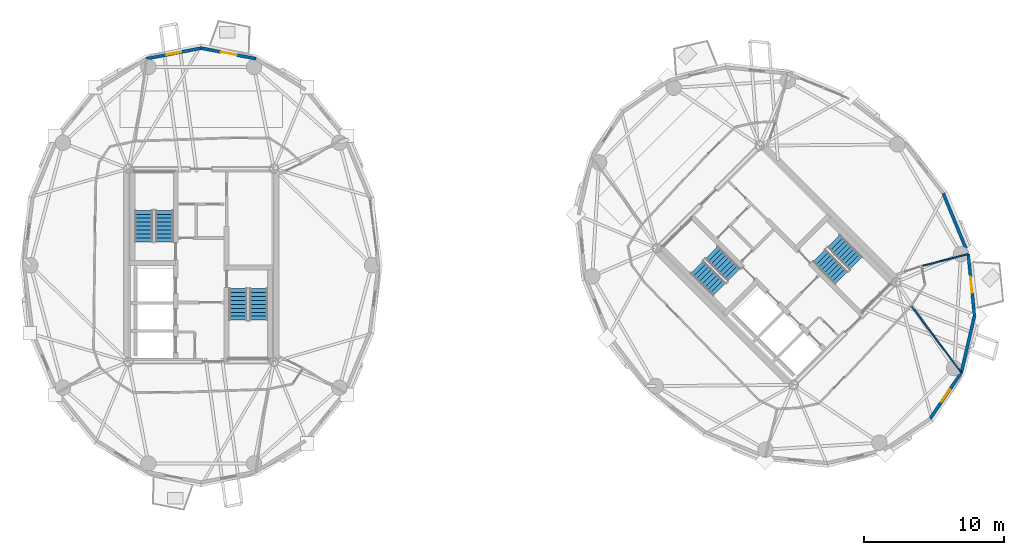
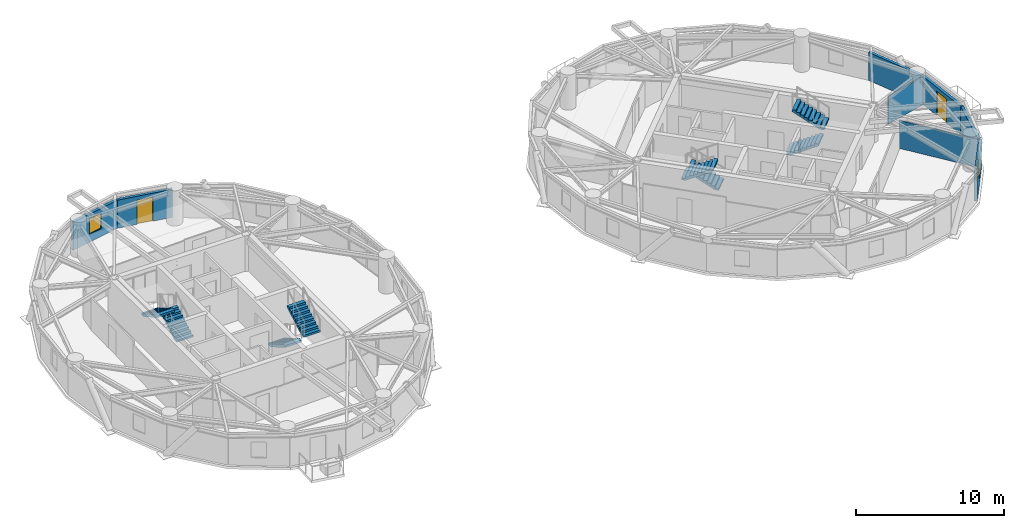
# One storey, part 13 of 16: 8 stair flights, 8 walls, 2 doors, 2 windows, 4 openings, 4 elements without a shape of their own.
"""IFC4 building model written with IfcOpenShell, lengths in metres."""

import ifcopenshell
import ifcopenshell.guid

model = None  # the IFC model being written
_history = None  # IfcOwnerHistory: only IFC2X3 demands one
_inside = {}  # id of a spatial element -> (the spatial element, [elements in it])
_under = {}  # id of a project, library or spatial element -> (it, [spatial elements below it])
_declared = {}  # id of a project -> (the project, [libraries it declares])
_typed = {}  # id of a type object -> (the type object, [elements of that type])
_made_of = {}  # id of a material, layer set ... -> (it, [elements and type objects made of it])


def new_model(schema):
    """Start an empty IFC model of exactly this schema.

    Asked for "IFC4X3", IfcOpenShell would pick the latest addendum, in which some entities
    have other attributes; the version numbers below select the first issue.
    IFC2X3 requires an IfcOwnerHistory on every rooted entity: one is made here for all.
    """
    global model, _history
    if schema == "IFC4X3":
        model = ifcopenshell.file(schema_version=(4, 3, 0, 0))
    else:
        model = ifcopenshell.file(schema=schema)
    _inside.clear()
    _under.clear()
    _declared.clear()
    _typed.clear()
    _made_of.clear()
    _history = None
    if model.schema == "IFC2X3":
        org = make("IfcOrganization", Name="unknown")
        user = make(
            "IfcPersonAndOrganization",
            ThePerson=make("IfcPerson", FamilyName="unknown"),
            TheOrganization=org,
        )
        app = make(
            "IfcApplication",
            ApplicationDeveloper=org,
            Version="unknown",
            ApplicationFullName="unknown",
            ApplicationIdentifier="unknown",
        )
        _history = make(
            "IfcOwnerHistory",
            OwningUser=user,
            OwningApplication=app,
            ChangeAction="ADDED",
            CreationDate=0,
        )
    return model


def make(cls, **values):
    """One entity of the class cls with the attributes given. An attribute that is None is left unset."""
    return model.create_entity(
        cls, **{name: value for name, value in values.items() if value is not None}
    )


def rooted(cls, **values):
    """An entity with a GlobalId (a new one), such as an element, a storey or a relation."""
    return make(cls, GlobalId=ifcopenshell.guid.new(), OwnerHistory=_history, **values)


def si_unit(unit_type, name, prefix=None):
    """IfcSIUnit, for example si_unit("LENGTHUNIT", "METRE", prefix="MILLI")."""
    return make("IfcSIUnit", UnitType=unit_type, Prefix=prefix, Name=name)


def assignment(units):
    """IfcUnitAssignment: the units of a project."""
    return None if units is None else make("IfcUnitAssignment", Units=units)


def point(xyz):
    """IfcCartesianPoint."""
    return None if xyz is None else make("IfcCartesianPoint", Coordinates=xyz)


def direction(xyz):
    """IfcDirection."""
    return None if xyz is None else make("IfcDirection", DirectionRatios=xyz)


def frame(location, z_axis=None, x_axis=None):
    """IfcAxis2Placement3D, a coordinate frame: its origin and axes. An axis left out is left unset."""
    return make(
        "IfcAxis2Placement3D",
        Location=point(location),
        Axis=direction(z_axis),
        RefDirection=direction(x_axis),
    )


def frame_2d(location, x_axis=None):
    """IfcAxis2Placement2D, a coordinate frame in the plane: its origin and x axis."""
    return make(
        "IfcAxis2Placement2D", Location=point(location), RefDirection=direction(x_axis)
    )


def origin():
    """The frame at (0, 0, 0) with its axes left unset."""
    return frame((0.0, 0.0, 0.0))


def place(relative_to, where):
    """IfcLocalPlacement: puts the frame where relative to a parent placement (None: the world)."""
    return make(
        "IfcLocalPlacement", PlacementRelTo=relative_to, RelativePlacement=where
    )


def context(
    kind, dimensions, precision=None, world=None, true_north=None, identifier=None
):
    """IfcGeometricRepresentationContext, for example the 3D "Model" context."""
    return make(
        "IfcGeometricRepresentationContext",
        ContextIdentifier=identifier,
        ContextType=kind,
        CoordinateSpaceDimension=dimensions,
        Precision=precision,
        WorldCoordinateSystem=world,
        TrueNorth=true_north,
    )


def subcontext(parent, identifier, kind, view, scale=None):
    """IfcGeometricRepresentationSubContext, for example "Body" below "Model"."""
    return make(
        "IfcGeometricRepresentationSubContext",
        ContextIdentifier=identifier,
        ContextType=kind,
        ParentContext=parent,
        TargetScale=scale,
        TargetView=view,
    )


def project(units=None, contexts=None):
    """IfcProject with its units and contexts."""
    return rooted(
        "IfcProject",
        Name="project",
        RepresentationContexts=contexts,
        UnitsInContext=assignment(units),
    )


def spatial(cls, under=None, at=None, **own):
    """A site, building, storey or space (cls), placed at a placement, below another one or the project."""
    s = rooted(cls, ObjectPlacement=at, **own)
    if under is not None:
        _under.setdefault(under.id(), (under, []))[1].append(s)
    return s


def polyline(points):
    """IfcPolyline through the points."""
    return make("IfcPolyline", Points=[point(p) for p in points])


def profile(cls, at=None, kind="AREA", **sizes):
    """A parametric profile (cls). Its sizes go by their IFC names, for example OverallWidth=200.0."""
    return make(cls, ProfileType=kind, Position=at, **sizes)


def rectangle(**sizes):
    """IfcRectangleProfileDef."""
    return profile("IfcRectangleProfileDef", **sizes)


def outline(outer, holes=None, kind="AREA"):
    """IfcArbitraryClosedProfileDef: a profile drawn as a closed curve; with holes, ...WithVoids."""
    if holes is None:
        return make("IfcArbitraryClosedProfileDef", ProfileType=kind, OuterCurve=outer)
    return make(
        "IfcArbitraryProfileDefWithVoids",
        ProfileType=kind,
        OuterCurve=outer,
        InnerCurves=holes,
    )


def extrude(swept, where, along, depth):
    """IfcExtrudedAreaSolid: the profile swept, set in the frame where, extruded along a direction by depth."""
    return make(
        "IfcExtrudedAreaSolid",
        SweptArea=swept,
        Position=where,
        ExtrudedDirection=direction(along),
        Depth=depth,
    )


def shape(context_of_items, identifier, shape_type, items):
    """IfcShapeRepresentation: the items that make up one representation, for example the "Body"."""
    return make(
        "IfcShapeRepresentation",
        ContextOfItems=context_of_items,
        RepresentationIdentifier=identifier,
        RepresentationType=shape_type,
        Items=items,
    )


def source(mapping_origin, context_of_items, identifier, shape_type, items):
    """IfcRepresentationMap: a shape defined once, which mapped items show again and again."""
    return make(
        "IfcRepresentationMap",
        MappingOrigin=mapping_origin,
        MappedRepresentation=shape(context_of_items, identifier, shape_type, items),
    )


def transform(
    local_origin,
    x_axis=None,
    y_axis=None,
    z_axis=None,
    scale=None,
    scale2=None,
    scale3=None,
    uniform=True,
):
    """IfcCartesianTransformationOperator3D, or its non-uniform kind. x_axis, y_axis, z_axis: its Axis1, 2, 3."""
    if uniform:
        return make(
            "IfcCartesianTransformationOperator3D",
            Axis1=direction(x_axis),
            Axis2=direction(y_axis),
            LocalOrigin=point(local_origin),
            Scale=scale,
            Axis3=direction(z_axis),
        )
    return make(
        "IfcCartesianTransformationOperator3DnonUniform",
        Axis1=direction(x_axis),
        Axis2=direction(y_axis),
        LocalOrigin=point(local_origin),
        Scale=scale,
        Axis3=direction(z_axis),
        Scale2=scale2,
        Scale3=scale3,
    )


def mapped(mapping_source, mapping_target):
    """IfcMappedItem: shows the shape of a source again, moved by a transform."""
    return make(
        "IfcMappedItem", MappingSource=mapping_source, MappingTarget=mapping_target
    )


def material(Name=None, Category=None):
    """IfcMaterial."""
    return make("IfcMaterial", Name=Name, Category=Category)


def layer(
    of_material, thickness, ventilated=None, Name=None, Category=None, Priority=None
):
    """IfcMaterialLayer: one layer of a wall or slab, of a material (None: an air gap)."""
    return make(
        "IfcMaterialLayer",
        Material=of_material,
        LayerThickness=thickness,
        IsVentilated=ventilated,
        Name=Name,
        Category=Category,
        Priority=Priority,
    )


def layer_set(layers, Name=None):
    """IfcMaterialLayerSet."""
    return make("IfcMaterialLayerSet", MaterialLayers=layers, LayerSetName=Name)


def made_of(thing, what):
    """Note that an element or type object is made of a material, layer set ...; save() writes the relation."""
    if what is not None:
        _made_of.setdefault(what.id(), (what, []))[1].append(thing)
    return thing


def type_object(cls, material=None, **own):
    """A type object (cls), such as IfcWallType, which elements share."""
    return made_of(rooted(cls, **own), material)


def element(
    cls,
    number,
    at=None,
    inside=None,
    cuts=None,
    type_object=None,
    material=None,
    context=None,
    identifier="Body",
    shape_type=None,
    held_by="IfcProductDefinitionShape",
    body=None,
    shapes=None,
    **own,
):
    """One element of the class cls, such as IfcWall. Its Tag is "e" and its number.

    at: its placement. inside: the storey or other place that contains it. cuts: it is an
    opening in that element (IfcRelVoidsElement). A single representation is given by context,
    identifier, shape_type and body (its items); several are given by shapes. held_by: the class
    of the entity that holds the representations. save() writes the other relations.
    """
    e = rooted(cls, Tag="e%d" % number, ObjectPlacement=at, **own)
    if body is not None:
        shapes = [shape(context, identifier, shape_type, body)]
    if shapes is not None:
        e.Representation = make(held_by, Representations=shapes)
    if inside is not None:
        _inside.setdefault(inside.id(), (inside, []))[1].append(e)
    if cuts is not None:
        rooted(
            "IfcRelVoidsElement", RelatingBuildingElement=cuts, RelatedOpeningElement=e
        )
    if type_object is not None:
        _typed.setdefault(type_object.id(), (type_object, []))[1].append(e)
    return made_of(e, material)


def fill(opening, filler):
    """IfcRelFillsElement: the door or window that sits in an opening."""
    return rooted(
        "IfcRelFillsElement",
        RelatingOpeningElement=opening,
        RelatedBuildingElement=filler,
    )


def aggregate(whole, parts):
    """IfcRelAggregates: a whole, such as a stair, and the parts it consists of."""
    return rooted("IfcRelAggregates", RelatingObject=whole, RelatedObjects=parts)


def save(model, path):
    """Write the relations noted so far, then the file.

    IfcRelAggregates (storeys below a building ...), IfcRelContainedInSpatialStructure (elements
    in a storey), IfcRelDefinesByType, IfcRelAssociatesMaterial and IfcRelDeclares: one each for
    every whole, place, type object, material and project.
    """
    for whole, parts in _under.values():
        aggregate(whole, parts)
    for where, things in _inside.values():
        rooted(
            "IfcRelContainedInSpatialStructure",
            RelatedElements=things,
            RelatingStructure=where,
        )
    for kind, things in _typed.values():
        rooted("IfcRelDefinesByType", RelatedObjects=things, RelatingType=kind)
    for what, things in _made_of.values():
        rooted("IfcRelAssociatesMaterial", RelatedObjects=things, RelatingMaterial=what)
    for by, libraries in _declared.values():
        rooted("IfcRelDeclares", RelatingContext=by, RelatedDefinitions=libraries)
    model.write(path)


model = new_model("IFC4")

# Units and contexts
model_context = context("Model", 3, precision=1e-05, world=origin(), true_north=direction((0.0, 1.0)))
body_context = subcontext(model_context, "Body", "Model", "MODEL_VIEW")
ifc_project = project(units=[si_unit("LENGTHUNIT", "METRE"), si_unit("AREAUNIT", "SQUARE_METRE"), si_unit("VOLUMEUNIT", "CUBIC_METRE"), si_unit("PLANEANGLEUNIT", "RADIAN"), si_unit("MASSUNIT", "GRAM", prefix="KILO")], contexts=[model_context])

# Site, building, storey
site_placement = place(None, origin())
site = spatial("IfcSite", under=ifc_project, at=site_placement, CompositionType="ELEMENT")
building_placement = place(site_placement, origin())
building = spatial("IfcBuilding", under=site, at=building_placement, Name="Cununo Teusaquillo Station Towers", CompositionType="ELEMENT")
storey_placement = place(building_placement, frame((0.0, 0.0, 196.659912109375)))
storey = spatial("IfcBuildingStorey", under=building, at=storey_placement, Name="L62", CompositionType="ELEMENT", Elevation=196.659912109375)

# Wall, opening, door
ifc_material_1 = material(Name="Precast concrete C40/50", Category="concrete")
ifc_layer_1 = layer(ifc_material_1, 0.219970703125)
ifc_layer_set_1 = layer_set([ifc_layer_1], Name="Precast concrete C40/50")
wall_type_1 = type_object("IfcWallType", Name="WL-EXT-220", PredefinedType="SOLIDWALL", material=ifc_layer_set_1)
wall_1_placement = place(storey_placement, frame((16.5, 39.969970703125, 0.0), z_axis=(0.0, 0.0, 1.0), x_axis=(0.981700307484, -0.190432419211, 0.0)))
wall_1 = element("IfcWall", 1, at=wall_1_placement, inside=storey, type_object=wall_type_1, Name="L62 Tower A Exterior Facade Wall C04", PredefinedType="SOLIDWALL", context=body_context, shape_type="SweptSolid", body=[
    extrude(rectangle(XDim=3.9755859375, YDim=0.219970703125, at=frame_2d((1.98779296875, 0.0))), origin(), (0.0, 0.0, 1.0), 2.322021484375),
])
shared_shape_1 = source(origin(), body_context, "Body", "SweptSolid", [
    extrude(rectangle(XDim=1.14990234375, YDim=2.0048828125, at=frame_2d((0.574951171875, 1.00244140625))), frame((0.0, 0.119873046875, 0.0), z_axis=(0.0, -1.0, 0.0), x_axis=(1.0, 0.0, 0.0)), (0.0, 0.0, 1.0), 0.239990234375),
])
opening_1_placement = place(wall_1_placement, frame((1.4130859375, 0.0, 0.0)))
opening_1 = element("IfcOpeningElement", 2, at=opening_1_placement, cuts=wall_1, Name="Opening ED-03", PredefinedType="OPENING", context=body_context, shape_type="MappedRepresentation", body=[
    mapped(shared_shape_1, transform((0.0, 0.0, 0.0), x_axis=(1.0, 0.0, 0.0), y_axis=(0.0, 1.0, 0.0), z_axis=(0.0, 0.0, 1.0), scale=1.0)),
])
ifc_material_2 = material(Name="Anodised dark bronze aluminium EN AW-6063-T6", Category="aluminium")
door_type = type_object("IfcDoorType", Name="DR-EXT-BAL", OperationType="NOTDEFINED", PredefinedType="DOOR", material=ifc_material_2)
shared_shape_2 = source(origin(), body_context, "Body", "SweptSolid", [
    extrude(rectangle(XDim=1.14990234375, YDim=2.0048828125, at=frame_2d((0.574951171875, 1.00244140625))), frame((0.0, 0.02490234375, 0.0), z_axis=(0.0, -1.0, 0.0), x_axis=(1.0, 0.0, 0.0)), (0.0, 0.0, 1.0), 0.050048828125),
])
door_1_placement = place(opening_1_placement, origin())
door_1 = element("IfcDoor", 3, at=door_1_placement, inside=storey, type_object=door_type, Name="L62 Tower A Tree Balcony Door C04", OperationType="SINGLE_SWING_LEFT", OverallHeight=2.0048828125, OverallWidth=1.14990234375, PredefinedType="DOOR", context=body_context, shape_type="MappedRepresentation", body=[
    mapped(shared_shape_2, transform((0.0, 0.0, 0.0), x_axis=(1.0, 0.0, 0.0), y_axis=(0.0, 1.0, 0.0), z_axis=(0.0, 0.0, 1.0), scale=1.0)),
])
fill(opening_1, door_1)

# Wall, opening, window
wall_2_placement = place(storey_placement, frame((12.59716796875, 39.212890625, 0.0), z_axis=(0.0, 0.0, 1.0), x_axis=(0.981700307484, 0.190432419211, 0.0)))
wall_2 = element("IfcWall", 4, at=wall_2_placement, inside=storey, type_object=wall_type_1, Name="L62 Tower A Exterior Facade Wall C05", PredefinedType="SOLIDWALL", context=body_context, shape_type="SweptSolid", body=[
    extrude(rectangle(XDim=3.9755859375, YDim=0.219970703125, at=frame_2d((1.98779296875, 0.0))), origin(), (0.0, 0.0, 1.0), 2.322021484375),
])
shared_shape_3 = source(origin(), body_context, "Body", "SweptSolid", [
    extrude(rectangle(XDim=1.050048828125, YDim=1.300048828125, at=frame_2d((0.52490234375, 0.64990234375))), frame((0.0, 0.119873046875, 0.0), z_axis=(0.0, -1.0, 0.0), x_axis=(1.0, 0.0, 0.0)), (0.0, 0.0, 1.0), 0.239990234375),
])
opening_2_placement = place(wall_2_placement, frame((1.462890625, 0.0, 0.64990234375)))
opening_2 = element("IfcOpeningElement", 5, at=opening_2_placement, cuts=wall_2, Name="Opening WN-04", PredefinedType="OPENING", context=body_context, shape_type="MappedRepresentation", body=[
    mapped(shared_shape_3, transform((0.0, 0.0, 0.0), x_axis=(1.0, 0.0, 0.0), y_axis=(0.0, 1.0, 0.0), z_axis=(0.0, 0.0, 1.0), scale=1.0)),
])
ifc_material_3 = material(Name="Operable acoustic tinted low-E double glazing", Category="glass")
window_type = type_object("IfcWindowType", Name="WIN-BAL-1050", PartitioningType="SINGLE_PANEL", PredefinedType="WINDOW", material=ifc_material_3)
shared_shape_4 = source(origin(), body_context, "Body", "SweptSolid", [
    extrude(rectangle(XDim=1.050048828125, YDim=1.300048828125, at=frame_2d((0.52490234375, 0.64990234375))), frame((0.0, 0.030029296875, 0.0), z_axis=(0.0, -1.0, 0.0), x_axis=(1.0, 0.0, 0.0)), (0.0, 0.0, 1.0), 0.06005859375),
])
window_1_placement = place(opening_2_placement, origin())
window_1 = element("IfcWindow", 6, at=window_1_placement, inside=storey, type_object=window_type, Name="L62 Tower A Facade Window C05", OverallHeight=1.300048828125, OverallWidth=1.050048828125, PartitioningType="SINGLE_PANEL", PredefinedType="WINDOW", context=body_context, shape_type="MappedRepresentation", body=[
    mapped(shared_shape_4, transform((0.0, 0.0, 0.0), x_axis=(1.0, 0.0, 0.0), y_axis=(0.0, 1.0, 0.0), z_axis=(0.0, 0.0, 1.0), scale=1.0)),
])
fill(opening_2, window_1)

wall_3_placement = place(storey_placement, frame((70.663330078125, 16.856201171875, 0.0), z_axis=(0.0, 0.0, 1.0), x_axis=(-0.559495003079, -0.828833723692, 0.0)))
wall_3 = element("IfcWall", 7, at=wall_3_placement, inside=storey, type_object=wall_type_1, Name="L62 Tower B Exterior Facade Wall C15", PredefinedType="SOLIDWALL", context=body_context, shape_type="SweptSolid", body=[
    extrude(rectangle(XDim=3.9755859375, YDim=0.219970703125, at=frame_2d((1.98779296875, 0.0))), origin(), (0.0, 0.0, 1.0), 2.322021484375),
])
opening_3_placement = place(wall_3_placement, frame((1.462890625, 0.0, 0.64990234375)))
opening_3 = element("IfcOpeningElement", 8, at=opening_3_placement, cuts=wall_3, Name="Opening WN-04", PredefinedType="OPENING", context=body_context, shape_type="MappedRepresentation", body=[
    mapped(shared_shape_3, transform((0.0, 0.0, 0.0), x_axis=(1.0, 0.0, 0.0), y_axis=(0.0, 1.0, 0.0), z_axis=(0.0, 0.0, 1.0), scale=1.0)),
])
window_2_placement = place(opening_3_placement, origin())
window_2 = element("IfcWindow", 9, at=window_2_placement, inside=storey, type_object=window_type, Name="L62 Tower B Facade Window C15", OverallHeight=1.300048828125, OverallWidth=1.050048828125, PartitioningType="SINGLE_PANEL", PredefinedType="WINDOW", context=body_context, shape_type="MappedRepresentation", body=[
    mapped(shared_shape_4, transform((0.0, 0.0, 0.0), x_axis=(1.0, 0.0, 0.0), y_axis=(0.0, 1.0, 0.0), z_axis=(0.0, 0.0, 1.0), scale=1.0)),
])
fill(opening_3, window_2)

# Wall
wall_4_placement = place(storey_placement, frame((71.59912109375, 20.899658203125, 0.0), z_axis=(0.0, 0.0, 1.0), x_axis=(-0.225473813158, -0.974249228678, 0.0)))
element("IfcWall", 10, at=wall_4_placement, inside=storey, type_object=wall_type_1, Name="L62 Tower B Exterior Facade Wall C16", PredefinedType="SOLIDWALL", context=body_context, shape_type="SweptSolid", body=[
    extrude(rectangle(XDim=4.150390625, YDim=0.219970703125, at=frame_2d((2.0751953125, 0.0))), origin(), (0.0, 0.0, 1.0), 2.322021484375),
])

# Wall, opening, door
wall_5_placement = place(storey_placement, frame((71.15478515625, 25.29541015625, 0.0), z_axis=(0.0, 0.0, 1.0), x_axis=(0.100570534541, -0.994929930991, 0.0)))
wall_5 = element("IfcWall", 11, at=wall_5_placement, inside=storey, type_object=wall_type_1, Name="L62 Tower B Exterior Facade Wall C17", PredefinedType="SOLIDWALL", context=body_context, shape_type="SweptSolid", body=[
    extrude(rectangle(XDim=4.418212890625, YDim=0.219970703125, at=frame_2d((2.208984375, 0.0))), origin(), (0.0, 0.0, 1.0), 2.322021484375),
])
opening_4_placement = place(wall_5_placement, frame((1.634033203125, 0.0, 0.0)))
opening_4 = element("IfcOpeningElement", 12, at=opening_4_placement, cuts=wall_5, Name="Opening ED-03", PredefinedType="OPENING", context=body_context, shape_type="MappedRepresentation", body=[
    mapped(shared_shape_1, transform((0.0, 0.0, 0.0), x_axis=(1.0, 0.0, 0.0), y_axis=(0.0, 1.0, 0.0), z_axis=(0.0, 0.0, 1.0), scale=1.0)),
])
door_2_placement = place(opening_4_placement, origin())
door_2 = element("IfcDoor", 13, at=door_2_placement, inside=storey, type_object=door_type, Name="L62 Tower B Tree Balcony Door C17", OperationType="SINGLE_SWING_LEFT", OverallHeight=2.0048828125, OverallWidth=1.14990234375, PredefinedType="DOOR", context=body_context, shape_type="MappedRepresentation", body=[
    mapped(shared_shape_2, transform((0.0, 0.0, 0.0), x_axis=(1.0, 0.0, 0.0), y_axis=(0.0, 1.0, 0.0), z_axis=(0.0, 0.0, 1.0), scale=1.0)),
])
fill(opening_4, door_2)

# Walls
wall_6_placement = place(storey_placement, frame((69.373779296875, 29.61328125, 0.0), z_axis=(0.0, 0.0, 1.0), x_axis=(0.381309704956, -0.924447353237, 0.0)))
element("IfcWall", 14, at=wall_6_placement, inside=storey, type_object=wall_type_1, Name="L62 Tower B Exterior Facade Wall C18", PredefinedType="SOLIDWALL", context=body_context, shape_type="SweptSolid", body=[
    extrude(rectangle(XDim=4.670654296875, YDim=0.219970703125, at=frame_2d((2.33544921875, 0.0))), origin(), (0.0, 0.0, 1.0), 2.322021484375),
])
ifc_material_4 = material(Name="Fire-rated gypsum plasterboard partition assembly", Category="gypsum")
ifc_layer_2 = layer(ifc_material_4, 0.10009765625)
ifc_layer_set_2 = layer_set([ifc_layer_2], Name="Fire-rated gypsum plasterboard partition assembly")
wall_type_2 = type_object("IfcWallType", Name="WL-PART-100", PredefinedType="MOVABLE", material=ifc_layer_set_2)
wall_7_placement = place(storey_placement, frame((67.09521484375, 21.599609375, 0.0), z_axis=(0.0, 0.0, 1.0), x_axis=(0.599947190798, -0.800039604178, 0.0)))
element("IfcWall", 15, at=wall_7_placement, inside=storey, type_object=wall_type_2, Name="L62 Tower B Radial Suite Partition R04", PredefinedType="MOVABLE", context=body_context, shape_type="SweptSolid", body=[
    extrude(rectangle(XDim=5.917724609375, YDim=0.10009765625, at=frame_2d((2.958984375, 0.0))), origin(), (0.0, 0.0, 1.0), 2.322021484375),
])
wall_8_placement = place(storey_placement, frame((67.84326171875, 24.443115234375, 0.0), z_axis=(0.0, 0.0, 1.0), x_axis=(0.968303102463, 0.249778105048, 0.0)))
element("IfcWall", 16, at=wall_8_placement, inside=storey, type_object=wall_type_2, Name="L62 Tower B Radial Suite Partition R05", PredefinedType="MOVABLE", context=body_context, shape_type="SweptSolid", body=[
    extrude(rectangle(XDim=3.3994140625, YDim=0.10009765625, at=frame_2d((1.69970703125, 0.0))), origin(), (0.0, 0.0, 1.0), 2.322021484375),
])

# Stair, stair flights
ifc_material_5 = material(Name="Concrete C50/60", Category="concrete")
stair_type = type_object("IfcStairType", Name="ST-TWR-1300", PredefinedType="HALF_TURN_STAIR", material=ifc_material_5)
stair_1_placement = place(storey_placement, origin())
stair_1 = element("IfcStair", 17, at=stair_1_placement, inside=storey, type_object=stair_type, Name="L62 Tower A Protected Core Exit Stair 1", PredefinedType="HALF_TURN_STAIR")
ifc_material_6 = material(Name="Concrete C50/60", Category="concrete")
stair_flight_type = type_object("IfcStairFlightType", Name="SFL-TWR-1300", PredefinedType="STRAIGHT", material=ifc_material_6)
stair_flight_1_placement = place(storey_placement, frame((13.8701171875, 26.169921875, 0.0), z_axis=(0.0, 0.0, 1.0), x_axis=(0.0, 1.0, 0.0)))
stair_flight_1 = element("IfcStairFlight", 18, at=stair_flight_1_placement, type_object=stair_flight_type, Name="ST-T1-1 flight 1", NumberOfRisers=9, NumberOfTreads=8, PredefinedType="STRAIGHT", RiserHeight=0.161666667, TreadLength=0.28, context=body_context, shape_type="SweptSolid", body=[
    extrude(outline(polyline([(0.0, 0.0), (0.0, 0.16162109375), (0.280029296875, 0.16162109375), (0.280029296875, 0.3232421875), (0.56005859375, 0.3232421875), (0.56005859375, 0.485107421875), (0.840087890625, 0.485107421875), (0.840087890625, 0.646728515625), (1.1201171875, 0.646728515625), (1.1201171875, 0.808349609375), (1.39990234375, 0.808349609375), (1.39990234375, 0.969970703125), (1.679931640625, 0.969970703125), (1.679931640625, 1.131591796875), (1.9599609375, 1.131591796875), (1.9599609375, 1.293212890625), (2.239990234375, 1.293212890625), (2.239990234375, 1.455078125), (2.239990234375, 1.1201171875), (0.2998046875, 0.0), (0.0, 0.0)])), frame((0.0, 0.64990234375, 0.0), z_axis=(0.0, -1.0, 0.0), x_axis=(1.0, 0.0, 0.0)), (0.0, 0.0, 1.0), 1.300048828125),
])
stair_flight_2_placement = place(storey_placement, frame((12.409912109375, 28.409912109375, 1.455078125), z_axis=(0.0, 0.0, 1.0), x_axis=(0.0, -1.0, 0.0)))
stair_flight_2 = element("IfcStairFlight", 19, at=stair_flight_2_placement, type_object=stair_flight_type, Name="ST-T1-1 flight 2", NumberOfRisers=9, NumberOfTreads=8, PredefinedType="STRAIGHT", RiserHeight=0.161666667, TreadLength=0.28, context=body_context, shape_type="SweptSolid", body=[
    extrude(outline(polyline([(0.0, 0.0), (0.0, 0.16162109375), (0.280029296875, 0.16162109375), (0.280029296875, 0.3232421875), (0.56005859375, 0.3232421875), (0.56005859375, 0.485107421875), (0.840087890625, 0.485107421875), (0.840087890625, 0.646728515625), (1.1201171875, 0.646728515625), (1.1201171875, 0.808349609375), (1.39990234375, 0.808349609375), (1.39990234375, 0.969970703125), (1.679931640625, 0.969970703125), (1.679931640625, 1.131591796875), (1.9599609375, 1.131591796875), (1.9599609375, 1.293212890625), (2.239990234375, 1.293212890625), (2.239990234375, 1.455078125), (2.239990234375, 1.1201171875), (0.2998046875, 0.0), (0.0, 0.0)])), frame((0.0, 0.64990234375, 0.0), z_axis=(0.0, -1.0, 0.0), x_axis=(1.0, 0.0, 0.0)), (0.0, 0.0, 1.0), 1.300048828125),
])
aggregate(stair_1, [stair_flight_1, stair_flight_2])

stair_2_placement = place(storey_placement, origin())
stair_2 = element("IfcStair", 20, at=stair_2_placement, inside=storey, type_object=stair_type, Name="L62 Tower A Protected Core Exit Stair 2", PredefinedType="HALF_TURN_STAIR")
stair_flight_3_placement = place(storey_placement, frame((19.1298828125, 22.830078125, 0.0), z_axis=(0.0, 0.0, 1.0), x_axis=(0.0, -1.0, 0.0)))
stair_flight_3 = element("IfcStairFlight", 21, at=stair_flight_3_placement, type_object=stair_flight_type, Name="ST-T1-2 flight 1", NumberOfRisers=9, NumberOfTreads=8, PredefinedType="STRAIGHT", RiserHeight=0.161666667, TreadLength=0.28, context=body_context, shape_type="SweptSolid", body=[
    extrude(outline(polyline([(0.0, 0.0), (0.0, 0.16162109375), (0.280029296875, 0.16162109375), (0.280029296875, 0.3232421875), (0.56005859375, 0.3232421875), (0.56005859375, 0.485107421875), (0.840087890625, 0.485107421875), (0.840087890625, 0.646728515625), (1.1201171875, 0.646728515625), (1.1201171875, 0.808349609375), (1.39990234375, 0.808349609375), (1.39990234375, 0.969970703125), (1.679931640625, 0.969970703125), (1.679931640625, 1.131591796875), (1.9599609375, 1.131591796875), (1.9599609375, 1.293212890625), (2.239990234375, 1.293212890625), (2.239990234375, 1.455078125), (2.239990234375, 1.1201171875), (0.2998046875, 0.0), (0.0, 0.0)])), frame((0.0, 0.64990234375, 0.0), z_axis=(0.0, -1.0, 0.0), x_axis=(1.0, 0.0, 0.0)), (0.0, 0.0, 1.0), 1.300048828125),
])
stair_flight_4_placement = place(storey_placement, frame((20.590087890625, 20.590087890625, 1.455078125), z_axis=(0.0, 0.0, 1.0), x_axis=(0.0, 1.0, 0.0)))
stair_flight_4 = element("IfcStairFlight", 22, at=stair_flight_4_placement, type_object=stair_flight_type, Name="ST-T1-2 flight 2", NumberOfRisers=9, NumberOfTreads=8, PredefinedType="STRAIGHT", RiserHeight=0.161666667, TreadLength=0.28, context=body_context, shape_type="SweptSolid", body=[
    extrude(outline(polyline([(0.0, 0.0), (0.0, 0.16162109375), (0.280029296875, 0.16162109375), (0.280029296875, 0.3232421875), (0.56005859375, 0.3232421875), (0.56005859375, 0.485107421875), (0.840087890625, 0.485107421875), (0.840087890625, 0.646728515625), (1.1201171875, 0.646728515625), (1.1201171875, 0.808349609375), (1.39990234375, 0.808349609375), (1.39990234375, 0.969970703125), (1.679931640625, 0.969970703125), (1.679931640625, 1.131591796875), (1.9599609375, 1.131591796875), (1.9599609375, 1.293212890625), (2.239990234375, 1.293212890625), (2.239990234375, 1.455078125), (2.239990234375, 1.1201171875), (0.2998046875, 0.0), (0.0, 0.0)])), frame((0.0, 0.64990234375, 0.0), z_axis=(0.0, -1.0, 0.0), x_axis=(1.0, 0.0, 0.0)), (0.0, 0.0, 1.0), 1.300048828125),
])
aggregate(stair_2, [stair_flight_3, stair_flight_4])

stair_3_placement = place(storey_placement, origin())
stair_3 = element("IfcStair", 23, at=stair_3_placement, inside=storey, type_object=stair_type, Name="L62 Tower B Protected Core Exit Stair 1", PredefinedType="HALF_TURN_STAIR")
stair_flight_5_placement = place(storey_placement, frame((54.45947265625, 23.8212890625, 0.0), z_axis=(0.0, 0.0, 1.0), x_axis=(-0.707106781187, 0.707106781187, 0.0)))
stair_flight_5 = element("IfcStairFlight", 24, at=stair_flight_5_placement, type_object=stair_flight_type, Name="ST-T2-1 flight 1", NumberOfRisers=9, NumberOfTreads=8, PredefinedType="STRAIGHT", RiserHeight=0.161666667, TreadLength=0.28, context=body_context, shape_type="SweptSolid", body=[
    extrude(outline(polyline([(0.0, 0.0), (0.0, 0.16162109375), (0.280029296875, 0.16162109375), (0.280029296875, 0.3232421875), (0.56005859375, 0.3232421875), (0.56005859375, 0.485107421875), (0.840087890625, 0.485107421875), (0.840087890625, 0.646728515625), (1.1201171875, 0.646728515625), (1.1201171875, 0.808349609375), (1.39990234375, 0.808349609375), (1.39990234375, 0.969970703125), (1.679931640625, 0.969970703125), (1.679931640625, 1.131591796875), (1.9599609375, 1.131591796875), (1.9599609375, 1.293212890625), (2.239990234375, 1.293212890625), (2.239990234375, 1.455078125), (2.239990234375, 1.1201171875), (0.2998046875, 0.0), (0.0, 0.0)])), frame((0.0, 0.64990234375, 0.0), z_axis=(0.0, -1.0, 0.0), x_axis=(1.0, 0.0, 0.0)), (0.0, 0.0, 1.0), 1.300048828125),
])
stair_flight_6_placement = place(storey_placement, frame((51.84326171875, 24.372802734375, 1.455078125), z_axis=(0.0, 0.0, 1.0), x_axis=(0.707106781187, -0.707106781187, 0.0)))
stair_flight_6 = element("IfcStairFlight", 25, at=stair_flight_6_placement, type_object=stair_flight_type, Name="ST-T2-1 flight 2", NumberOfRisers=9, NumberOfTreads=8, PredefinedType="STRAIGHT", RiserHeight=0.161666667, TreadLength=0.28, context=body_context, shape_type="SweptSolid", body=[
    extrude(outline(polyline([(0.0, 0.0), (0.0, 0.16162109375), (0.280029296875, 0.16162109375), (0.280029296875, 0.3232421875), (0.56005859375, 0.3232421875), (0.56005859375, 0.485107421875), (0.840087890625, 0.485107421875), (0.840087890625, 0.646728515625), (1.1201171875, 0.646728515625), (1.1201171875, 0.808349609375), (1.39990234375, 0.808349609375), (1.39990234375, 0.969970703125), (1.679931640625, 0.969970703125), (1.679931640625, 1.131591796875), (1.9599609375, 1.131591796875), (1.9599609375, 1.293212890625), (2.239990234375, 1.293212890625), (2.239990234375, 1.455078125), (2.239990234375, 1.1201171875), (0.2998046875, 0.0), (0.0, 0.0)])), frame((0.0, 0.64990234375, 0.0), z_axis=(0.0, -1.0, 0.0), x_axis=(1.0, 0.0, 0.0)), (0.0, 0.0, 1.0), 1.300048828125),
])
aggregate(stair_3, [stair_flight_5, stair_flight_6])

stair_4_placement = place(storey_placement, origin())
stair_4 = element("IfcStair", 26, at=stair_4_placement, inside=storey, type_object=stair_type, Name="L62 Tower B Protected Core Exit Stair 2", PredefinedType="HALF_TURN_STAIR")
stair_flight_7_placement = place(storey_placement, frame((60.54052734375, 25.1787109375, 0.0), z_axis=(0.0, 0.0, 1.0), x_axis=(0.707106781187, -0.707106781187, 0.0)))
stair_flight_7 = element("IfcStairFlight", 27, at=stair_flight_7_placement, type_object=stair_flight_type, Name="ST-T2-2 flight 1", NumberOfRisers=9, NumberOfTreads=8, PredefinedType="STRAIGHT", RiserHeight=0.161666667, TreadLength=0.28, context=body_context, shape_type="SweptSolid", body=[
    extrude(outline(polyline([(0.0, 0.0), (0.0, 0.16162109375), (0.280029296875, 0.16162109375), (0.280029296875, 0.3232421875), (0.56005859375, 0.3232421875), (0.56005859375, 0.485107421875), (0.840087890625, 0.485107421875), (0.840087890625, 0.646728515625), (1.1201171875, 0.646728515625), (1.1201171875, 0.808349609375), (1.39990234375, 0.808349609375), (1.39990234375, 0.969970703125), (1.679931640625, 0.969970703125), (1.679931640625, 1.131591796875), (1.9599609375, 1.131591796875), (1.9599609375, 1.293212890625), (2.239990234375, 1.293212890625), (2.239990234375, 1.455078125), (2.239990234375, 1.1201171875), (0.2998046875, 0.0), (0.0, 0.0)])), frame((0.0, 0.64990234375, 0.0), z_axis=(0.0, -1.0, 0.0), x_axis=(1.0, 0.0, 0.0)), (0.0, 0.0, 1.0), 1.300048828125),
])
stair_flight_8_placement = place(storey_placement, frame((63.15673828125, 24.627197265625, 1.455078125), z_axis=(0.0, 0.0, 1.0), x_axis=(-0.707106781187, 0.707106781187, 0.0)))
stair_flight_8 = element("IfcStairFlight", 28, at=stair_flight_8_placement, type_object=stair_flight_type, Name="ST-T2-2 flight 2", NumberOfRisers=9, NumberOfTreads=8, PredefinedType="STRAIGHT", RiserHeight=0.161666667, TreadLength=0.28, context=body_context, shape_type="SweptSolid", body=[
    extrude(outline(polyline([(0.0, 0.0), (0.0, 0.16162109375), (0.280029296875, 0.16162109375), (0.280029296875, 0.3232421875), (0.56005859375, 0.3232421875), (0.56005859375, 0.485107421875), (0.840087890625, 0.485107421875), (0.840087890625, 0.646728515625), (1.1201171875, 0.646728515625), (1.1201171875, 0.808349609375), (1.39990234375, 0.808349609375), (1.39990234375, 0.969970703125), (1.679931640625, 0.969970703125), (1.679931640625, 1.131591796875), (1.9599609375, 1.131591796875), (1.9599609375, 1.293212890625), (2.239990234375, 1.293212890625), (2.239990234375, 1.455078125), (2.239990234375, 1.1201171875), (0.2998046875, 0.0), (0.0, 0.0)])), frame((0.0, 0.64990234375, 0.0), z_axis=(0.0, -1.0, 0.0), x_axis=(1.0, 0.0, 0.0)), (0.0, 0.0, 1.0), 1.300048828125),
])
aggregate(stair_4, [stair_flight_7, stair_flight_8])

save(model, "model.ifc")
